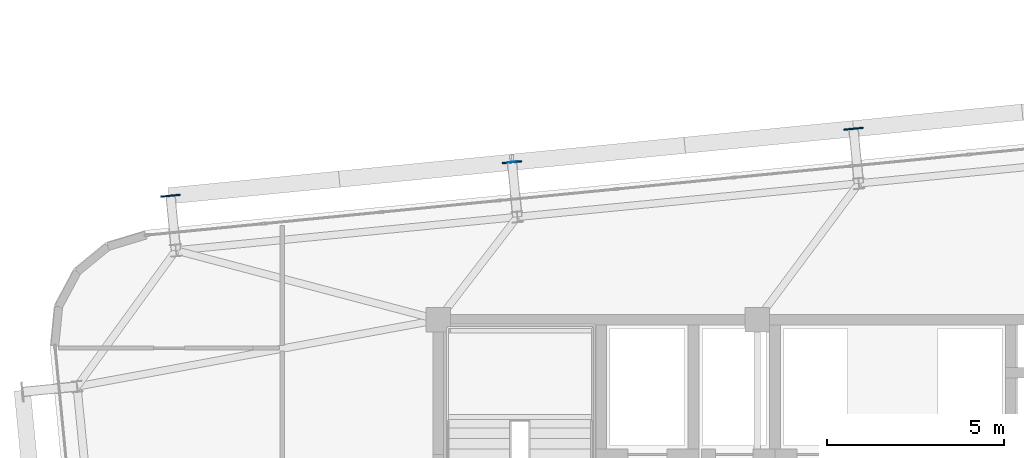
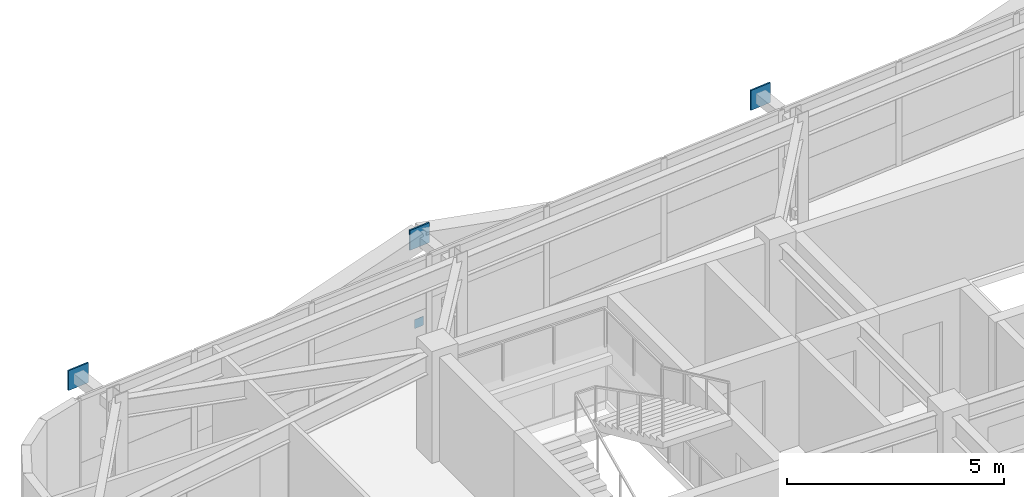
# One storey, part 43 of 52: 4 plates.
"""IFC4 building model written with IfcOpenShell, lengths in metres."""

from ifc_helpers import new_model, si_unit, direction, frame, origin, origin_2d, place, context, subcontext, project, spatial, rectangle, extrude, source, transform, mapped, material, layer, layer_set, type_object, element, save


model = new_model("IFC4")

# Units and contexts
model_context = context("Model", 3, precision=1e-05, world=origin(), true_north=direction((0.0, 1.0)))
body_context = subcontext(model_context, "Body", "Model", "MODEL_VIEW")
ifc_project = project(units=[si_unit("LENGTHUNIT", "METRE"), si_unit("AREAUNIT", "SQUARE_METRE"), si_unit("VOLUMEUNIT", "CUBIC_METRE"), si_unit("PLANEANGLEUNIT", "RADIAN"), si_unit("MASSUNIT", "GRAM", prefix="KILO")], contexts=[model_context])

# Site, building, storey
site_placement = place(None, origin())
site = spatial("IfcSite", under=ifc_project, at=site_placement, CompositionType="ELEMENT")
building_placement = place(site_placement, origin())
building = spatial("IfcBuilding", under=site, at=building_placement, Name="Taldren Reach Tower", CompositionType="ELEMENT")
storey_placement = place(building_placement, frame((0.0, 0.0, 93.449951171875)))
storey = spatial("IfcBuildingStorey", under=building, at=storey_placement, Name="L28", CompositionType="ELEMENT", Elevation=93.449951171875)

# Plates
ifc_material_1 = material(Name="Steel Gr 450 (C450L0)", Category="steel")
ifc_layer_1 = layer(ifc_material_1, 0.0400390625)
ifc_layer_set_1 = layer_set([ifc_layer_1], Name="Steel Gr 450 (C450L0)")
plate_type_1 = type_object("IfcPlateType", Name="PL-GUSSET-40", PredefinedType="SHEET", material=ifc_layer_set_1)
shared_shape_1 = source(origin(), body_context, "Body", "SweptSolid", [
    extrude(rectangle(XDim=0.56005859375, YDim=0.0400390625, at=origin_2d()), origin(), (0.0, 0.0, 1.0), 0.56005859375),
])
for number, where, z_axis, x_axis, name in (
    (1, (11.445556640625, 35.49951171875, 2.3701171875), (0.0, 0.0, 1.0), (0.995227399982, 0.097582899759, 0.0), "Exoskeleton star-node gusset plate B2-N1 L28"),
    (2, (21.079345703125, 36.444091796875, 2.3701171875), (0.0, 0.0, 1.0), (0.995227399982, 0.097582899759, 0.0), "Exoskeleton star-node gusset plate B2-N2 L28"),
    (3, (30.713134765625, 37.388671875, 2.3701171875), (0.0, 0.0, 1.0), (0.995227399982, 0.097582899759, 0.0), "Exoskeleton star-node gusset plate B2-N3 L28"),
):
    element("IfcPlate", number, at=place(storey_placement, frame(where, z_axis=z_axis, x_axis=x_axis)), inside=storey, type_object=plate_type_1, Name=name, PredefinedType="SHEET", context=body_context, shape_type="MappedRepresentation", body=[
        mapped(shared_shape_1, transform((0.0, 0.0, 0.0), scale=1.0)),
    ])
ifc_material_2 = material(Name="Steel Gr 350 (C350L0)", Category="steel")
ifc_layer_2 = layer(ifc_material_2, 0.011962890625)
ifc_layer_set_2 = layer_set([ifc_layer_2], Name="Steel Gr 350 (C350L0)")
plate_type_2 = type_object("IfcPlateType", Name="PL-CAP-250", PredefinedType="SHEET", material=ifc_layer_set_2)
shared_shape_2 = source(origin(), body_context, "Body", "SweptSolid", [
    extrude(rectangle(XDim=0.25, YDim=0.011962890625, at=origin_2d()), origin(), (0.0, 0.0, 1.0), 0.25),
])
plate_placement = place(storey_placement, frame((21.078857421875, 36.449951171875, 0.094970703125), z_axis=(0.0, 0.0, 1.0), x_axis=(0.995227399982, 0.097582899759, 0.0)))
element("IfcPlate", 4, at=plate_placement, inside=storey, type_object=plate_type_2, Name="Tie strut end cap plate B2-N2 L28", PredefinedType="SHEET", context=body_context, shape_type="MappedRepresentation", body=[
    mapped(shared_shape_2, transform((0.0, 0.0, 0.0), scale=1.0)),
])

save(model, "model.ifc")
